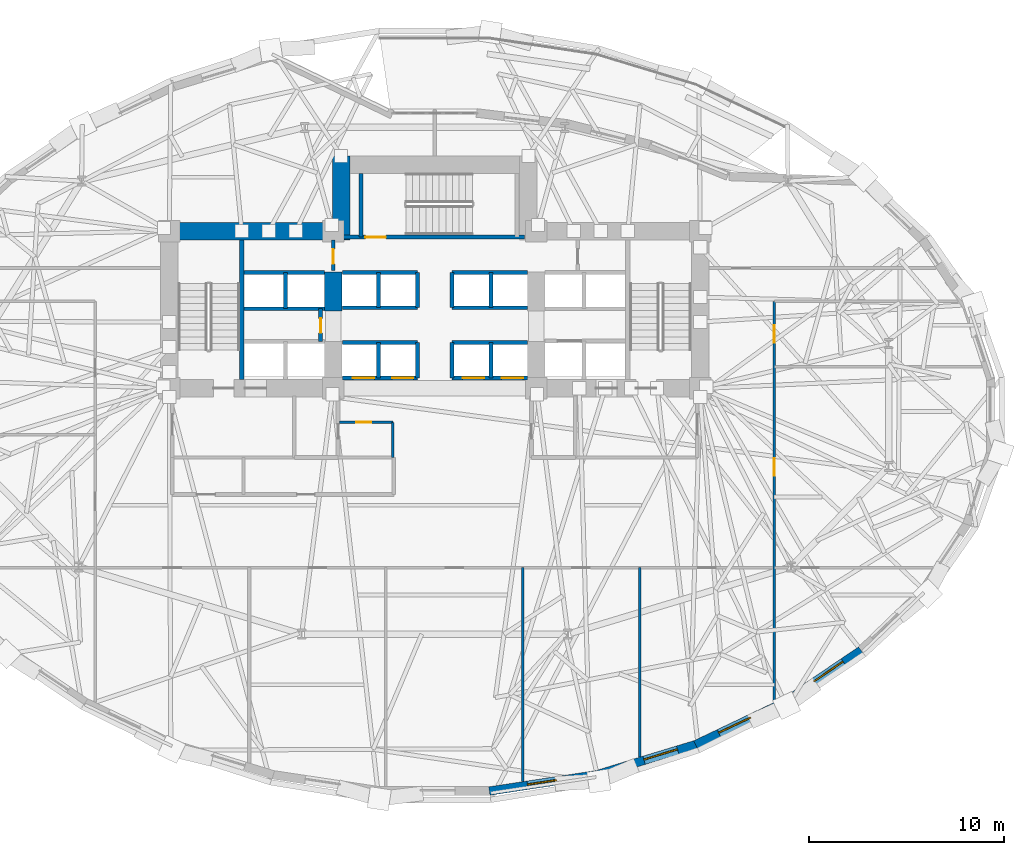
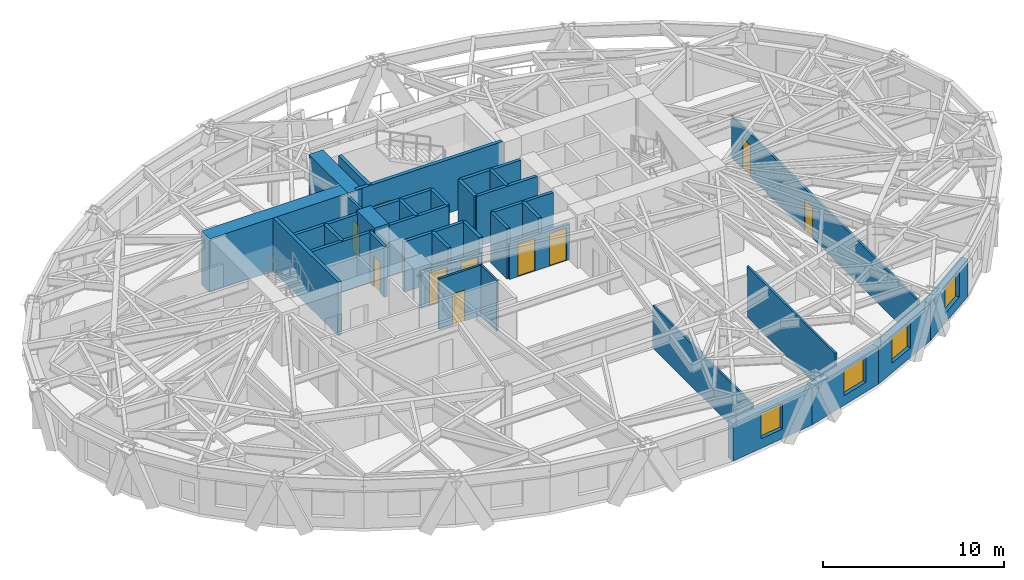
# One storey, part 9 of 15: 36 walls, 10 doors, 4 windows, 14 openings.
"""IFC4 building model written with IfcOpenShell, lengths in metres."""

from ifc_helpers import new_model, si_unit, direction, frame, frame_2d, origin, place, context, subcontext, project, spatial, rectangle, extrude, material, layer, layer_set, type_object, element, fill, save


model = new_model("IFC4")

# Units and contexts
model_context = context("Model", 3, precision=1e-05, world=origin(), true_north=direction((0.0, 1.0)))
body_context = subcontext(model_context, "Body", "Model", "MODEL_VIEW")
ifc_project = project(units=[si_unit("LENGTHUNIT", "METRE"), si_unit("AREAUNIT", "SQUARE_METRE"), si_unit("VOLUMEUNIT", "CUBIC_METRE"), si_unit("PLANEANGLEUNIT", "RADIAN"), si_unit("MASSUNIT", "GRAM", prefix="KILO")], contexts=[model_context])

# Site, building, storey
site_placement = place(None, origin())
site = spatial("IfcSite", under=ifc_project, at=site_placement, CompositionType="ELEMENT")
building_placement = place(site_placement, origin())
building = spatial("IfcBuilding", under=site, at=building_placement, Name="Keldmark Tower", CompositionType="ELEMENT")
storey_placement = place(building_placement, frame((0.0, 0.0, 55.800048828125)))
storey = spatial("IfcBuildingStorey", under=building, at=storey_placement, Name="L14", CompositionType="ELEMENT", Elevation=55.800048828125)

# Wall, openings, doors
ifc_material_1 = material(Name="Acoustic Double-Layer Gypsum Corridor Partition", Category="gypsum")
ifc_layer_1 = layer(ifc_material_1, 0.139892578125)
ifc_layer_set_1 = layer_set([ifc_layer_1], Name="Acoustic Double-Layer Gypsum Corridor Partition")
wall_type_1 = type_object("IfcWallType", Name="Acoustic Corridor Partition 140 mm", PredefinedType="PARTITIONING", material=ifc_layer_set_1)
wall_1_placement = place(storey_placement, frame((17.39990234375, -14.69189453125, 0.0), z_axis=(0.0, 0.0, 1.0), x_axis=(0.0, 1.0, 0.0)))
wall_1 = element("IfcWall", 1, at=wall_1_placement, inside=storey, type_object=wall_type_1, Name="L14 Acoustic Corridor Partition 140 mm COR-E", PredefinedType="PARTITIONING", context=body_context, shape_type="SweptSolid", body=[
    extrude(rectangle(XDim=20.5419921875, YDim=0.139892578125, at=frame_2d((10.27099609375, 0.0))), origin(), (0.0, 0.0, 1.0), 2.841064453125),
])
opening_1_placement = place(wall_1_placement, frame((11.59130859375, 0.0, 0.0)))
opening_1 = element("IfcOpeningElement", 2, at=opening_1_placement, cuts=wall_1, Name="Opening D-IN090", PredefinedType="OPENING", context=body_context, shape_type="SweptSolid", body=[
    extrude(rectangle(XDim=0.89990234375, YDim=2.10009765625, at=frame_2d((0.449951171875, 1.050048828125))), frame((0.0, 0.079833984375, 0.0), z_axis=(0.0, -1.0, 0.0), x_axis=(1.0, 0.0, 0.0)), (0.0, 0.0, 1.0), 0.159912109375),
])
opening_2_placement = place(wall_1_placement, frame((18.41650390625, 0.0, 0.0)))
opening_2 = element("IfcOpeningElement", 3, at=opening_2_placement, cuts=wall_1, Name="Opening D-IN090", PredefinedType="OPENING", context=body_context, shape_type="SweptSolid", body=[
    extrude(rectangle(XDim=0.89990234375, YDim=2.10009765625, at=frame_2d((0.449951171875, 1.050048828125))), frame((0.0, 0.079833984375, 0.0), z_axis=(0.0, -1.0, 0.0), x_axis=(1.0, 0.0, 0.0)), (0.0, 0.0, 1.0), 0.159912109375),
])
ifc_material_2 = material(Name="Stained American White Oak Veneer", Category="wood")
door_type_1 = type_object("IfcDoorType", Name="Interior Door 900x2100", OperationType="NOTDEFINED", PredefinedType="DOOR", material=ifc_material_2)
door_1_placement = place(opening_1_placement, origin())
door_1 = element("IfcDoor", 4, at=door_1_placement, inside=storey, type_object=door_type_1, Name="L14 Interior Door 900x2100 D-ER-1-L14", OperationType="SINGLE_SWING_RIGHT", OverallHeight=2.10009765625, OverallWidth=0.89990234375, PredefinedType="DOOR", context=body_context, shape_type="SweptSolid", body=[
    extrude(rectangle(XDim=0.89990234375, YDim=2.10009765625, at=frame_2d((0.449951171875, 1.050048828125))), frame((0.0, 0.02490234375, 0.0), z_axis=(0.0, -1.0, 0.0), x_axis=(1.0, 0.0, 0.0)), (0.0, 0.0, 1.0), 0.050048828125),
])
fill(opening_1, door_1)
door_2_placement = place(opening_2_placement, origin())
door_2 = element("IfcDoor", 5, at=door_2_placement, inside=storey, type_object=door_type_1, Name="L14 Interior Door 900x2100 D-ER-2-L14", OperationType="SINGLE_SWING_LEFT", OverallHeight=2.10009765625, OverallWidth=0.89990234375, PredefinedType="DOOR", context=body_context, shape_type="SweptSolid", body=[
    extrude(rectangle(XDim=0.89990234375, YDim=2.10009765625, at=frame_2d((0.449951171875, 1.050048828125))), frame((0.0, 0.02490234375, 0.0), z_axis=(0.0, -1.0, 0.0), x_axis=(1.0, 0.0, 0.0)), (0.0, 0.0, 1.0), 0.050048828125),
])
fill(opening_2, door_2)

# Wall, opening, door
ifc_material_3 = material(Name="Acoustic Gypsum Board Interior Partition", Category="gypsum")
ifc_layer_2 = layer(ifc_material_3, 0.1298828125)
ifc_layer_set_2 = layer_set([ifc_layer_2], Name="Acoustic Gypsum Board Interior Partition")
wall_type_2 = type_object("IfcWallType", Name="Interior Partition 130 mm", PredefinedType="PARTITIONING", material=ifc_layer_set_2)
wall_2_placement = place(storey_placement, frame((-4.8798828125, -0.35009765625, 0.0), z_axis=(0.0, 0.0, 1.0), x_axis=(1.0, 0.0, 0.0)))
wall_2 = element("IfcWall", 6, at=wall_2_placement, inside=storey, type_object=wall_type_2, Name="L14 Interior Partition 130 mm CSC-W-N", PredefinedType="PARTITIONING", context=body_context, shape_type="SweptSolid", body=[
    extrude(rectangle(XDim=2.72998046875, YDim=0.1298828125, at=frame_2d((1.364990234375, 0.0))), origin(), (0.0, 0.0, 1.0), 3.39990234375),
])
opening_3_placement = place(wall_2_placement, frame((0.85009765625, 0.0, 0.0)))
opening_3 = element("IfcOpeningElement", 7, at=opening_3_placement, cuts=wall_2, Name="Opening D-CL078", PredefinedType="OPENING", context=body_context, shape_type="SweptSolid", body=[
    extrude(rectangle(XDim=0.780029296875, YDim=2.10009765625, at=frame_2d((0.39013671875, 1.050048828125))), frame((0.0, 0.074951171875, 0.0), z_axis=(0.0, -1.0, 0.0), x_axis=(1.0, 0.0, 0.0)), (0.0, 0.0, 1.0), 0.14990234375),
])
ifc_material_4 = material(Name="Flush Utility Closet Timber Door", Category="wood")
door_type_2 = type_object("IfcDoorType", Name="Closet Door 780x2100", OperationType="NOTDEFINED", PredefinedType="DOOR", material=ifc_material_4)
door_3_placement = place(opening_3_placement, origin())
door_3 = element("IfcDoor", 8, at=door_3_placement, inside=storey, type_object=door_type_2, Name="L14 Closet Door 780x2100 D-CSCW1-L14", OperationType="SINGLE_SWING_RIGHT", OverallHeight=2.10009765625, OverallWidth=0.780029296875, PredefinedType="DOOR", context=body_context, shape_type="SweptSolid", body=[
    extrude(rectangle(XDim=0.780029296875, YDim=2.10009765625, at=frame_2d((0.39013671875, 1.050048828125))), frame((0.0, 0.02490234375, 0.0), z_axis=(0.0, -1.0, 0.0), x_axis=(1.0, 0.0, 0.0)), (0.0, 0.0, 1.0), 0.050048828125),
])
fill(opening_3, door_3)

# Walls
wall_3_placement = place(storey_placement, frame((-2.14990234375, -2.14990234375, 0.0), z_axis=(0.0, 0.0, 1.0), x_axis=(0.0, 1.0, 0.0)))
element("IfcWall", 9, at=wall_3_placement, inside=storey, type_object=wall_type_2, Name="L14 Interior Partition 130 mm CSC-W-E", PredefinedType="PARTITIONING", context=body_context, shape_type="SweptSolid", body=[
    extrude(rectangle(XDim=1.7998046875, YDim=0.1298828125, at=frame_2d((0.89990234375, 0.0))), origin(), (0.0, 0.0, 1.0), 3.39990234375),
])
wall_4_placement = place(storey_placement, frame((4.5, -18.75830078125, 0.0), z_axis=(0.0, 0.0, 1.0), x_axis=(0.0, 1.0, 0.0)))
element("IfcWall", 10, at=wall_4_placement, inside=storey, type_object=wall_type_2, Name="L14 Interior Partition 130 mm S-DIV-3", PredefinedType="PARTITIONING", context=body_context, shape_type="SweptSolid", body=[
    extrude(rectangle(XDim=10.958251953125, YDim=0.1298828125, at=frame_2d((5.47900390625, 0.0))), origin(), (0.0, 0.0, 1.0), 2.85302734375),
])
wall_5_placement = place(storey_placement, frame((10.5, -17.501708984375, 0.0), z_axis=(0.0, 0.0, 1.0), x_axis=(0.0, 1.0, 0.0)))
element("IfcWall", 11, at=wall_5_placement, inside=storey, type_object=wall_type_2, Name="L14 Interior Partition 130 mm S-DIV-4", PredefinedType="PARTITIONING", context=body_context, shape_type="SweptSolid", body=[
    extrude(rectangle(XDim=9.70166015625, YDim=0.1298828125, at=frame_2d((4.850830078125, 0.0))), origin(), (0.0, 0.0, 1.0), 3.39990234375),
])
ifc_material_5 = material(Name="Concrete C70/85", Category="concrete")
ifc_layer_3 = layer(ifc_material_5, 0.89990234375)
ifc_layer_set_3 = layer_set([ifc_layer_3], Name="Concrete C70/85")
wall_type_3 = type_object("IfcWallType", Name="Lower Core Shear Wall 900 mm", PredefinedType="SHEAR", material=ifc_layer_set_3)
wall_6_placement = place(storey_placement, frame((-14.050048828125, 9.449951171875, 0.0), z_axis=(0.0, 0.0, 1.0), x_axis=(1.0, 0.0, 0.0)))
element("IfcWall", 12, at=wall_6_placement, inside=storey, type_object=wall_type_3, Name="L14 West Core North Shear Wall", PredefinedType="SHEAR", context=body_context, shape_type="SweptSolid", body=[
    extrude(rectangle(XDim=9.699951171875, YDim=0.89990234375, at=frame_2d((4.85009765625, 0.0))), origin(), (0.0, 0.0, 1.0), 3.599853515625),
])
wall_7_placement = place(storey_placement, frame((-5.199951171875, 5.35009765625, 0.0), z_axis=(0.0, 0.0, 1.0), x_axis=(0.0, 1.0, 0.0)))
element("IfcWall", 13, at=wall_7_placement, inside=storey, type_object=wall_type_3, Name="L14 West Core Inner Shear Pier North", PredefinedType="SHEAR", context=body_context, shape_type="SweptSolid", body=[
    extrude(rectangle(XDim=2.0, YDim=0.89990234375, at=frame_2d((1.0, 0.0))), origin(), (0.0, 0.0, 1.0), 3.599853515625),
])
wall_8_placement = place(storey_placement, frame((-4.800048828125, 9.0, 0.0), z_axis=(0.0, 0.0, 1.0), x_axis=(0.0, 1.0, 0.0)))
element("IfcWall", 14, at=wall_8_placement, inside=storey, type_object=wall_type_3, Name="L14 North Core West Shear Wall", PredefinedType="SHEAR", context=body_context, shape_type="SweptSolid", body=[
    extrude(rectangle(XDim=4.300048828125, YDim=0.89990234375, at=frame_2d((2.14990234375, 0.0))), origin(), (0.0, 0.0, 1.0), 3.599853515625),
])

# Wall, opening, door
ifc_material_6 = material(Name="Type X Fire-Rated Gypsum Partition Assembly", Category="gypsum")
ifc_layer_4 = layer(ifc_material_6, 0.1650390625)
ifc_layer_set_4 = layer_set([ifc_layer_4], Name="Type X Fire-Rated Gypsum Partition Assembly")
wall_type_4 = type_object("IfcWallType", Name="Rated Partition 165 mm", PredefinedType="PARTITIONING", material=ifc_layer_set_4)
wall_9_placement = place(storey_placement, frame((-5.199951171875, 7.419921875, 0.0), z_axis=(0.0, 0.0, 1.0), x_axis=(0.0, 1.0, 0.0)))
wall_9 = element("IfcWall", 15, at=wall_9_placement, inside=storey, type_object=wall_type_4, Name="L14 Rated Partition 165 mm CS-NW-E", PredefinedType="PARTITIONING", context=body_context, shape_type="SweptSolid", body=[
    extrude(rectangle(XDim=1.580078125, YDim=0.1650390625, at=frame_2d((0.7900390625, 0.0))), origin(), (0.0, 0.0, 1.0), 3.39990234375),
])
opening_4_placement = place(wall_9_placement, frame((0.35009765625, 0.0, 0.0)))
opening_4 = element("IfcOpeningElement", 16, at=opening_4_placement, cuts=wall_9, Name="Opening D-RS075", PredefinedType="OPENING", context=body_context, shape_type="SweptSolid", body=[
    extrude(rectangle(XDim=0.75, YDim=2.10009765625, at=frame_2d((0.375, 1.050048828125))), frame((0.0, 0.092529296875, 0.0), z_axis=(0.0, -1.0, 0.0), x_axis=(1.0, 0.0, 0.0)), (0.0, 0.0, 1.0), 0.18505859375),
])
ifc_material_7 = material(Name="Galvanized Fire-Rated Access Leaf", Category="metal")
door_type_3 = type_object("IfcDoorType", Name="Riser Access Door 750x2100", OperationType="NOTDEFINED", PredefinedType="DOOR", material=ifc_material_7)
door_4_placement = place(opening_4_placement, origin())
door_4 = element("IfcDoor", 17, at=door_4_placement, inside=storey, type_object=door_type_3, Name="L14 Riser Access Door 750x2100 D-CSNW1-L14", OperationType="SINGLE_SWING_LEFT", OverallHeight=2.10009765625, OverallWidth=0.75, PredefinedType="DOOR", context=body_context, shape_type="SweptSolid", body=[
    extrude(rectangle(XDim=0.75, YDim=2.10009765625, at=frame_2d((0.375, 1.050048828125))), frame((0.0, 0.02490234375, 0.0), z_axis=(0.0, -1.0, 0.0), x_axis=(1.0, 0.0, 0.0)), (0.0, 0.0, 1.0), 0.050048828125),
])
fill(opening_4, door_4)

# Walls
ifc_material_8 = material(Name="Fire-Resistant Type X Gypsum Shaftliner Coreboard", Category="gypsum")
ifc_layer_5 = layer(ifc_material_8, 0.199951171875)
ifc_layer_set_5 = layer_set([ifc_layer_5], Name="Fire-Resistant Type X Gypsum Shaftliner Coreboard")
wall_type_5 = type_object("IfcWallType", Name="Shaft Wall 200 mm", PredefinedType="SOLIDWALL", material=ifc_layer_set_5)
for number, where, z_axis, x_axis, name in (
    (18, (-9.780029296875, 5.469970703125, 0.0), (0.0, 0.0, 1.0), (1.0, 0.0, 0.0), "L14 Shaft Wall 200 mm HW-W-N"),
    (19, (-9.780029296875, 7.330078125, 0.0), (0.0, 0.0, 1.0), (1.0, 0.0, 0.0), "L14 Shaft Wall 200 mm HW-W-TOP"),
):
    element("IfcWall", number, at=place(storey_placement, frame(where, z_axis=z_axis, x_axis=x_axis)), inside=storey, type_object=wall_type_5, Name=name, PredefinedType="SOLIDWALL", context=body_context, shape_type="SweptSolid", body=[
        extrude(rectangle(XDim=4.130126953125, YDim=0.199951171875, at=frame_2d((2.06494140625, 0.0))), origin(), (0.0, 0.0, 1.0), 3.39990234375),
    ])
wall_10_placement = place(storey_placement, frame((-7.64990234375, 5.469970703125, 0.0), z_axis=(0.0, 0.0, 1.0), x_axis=(0.0, 1.0, 0.0)))
element("IfcWall", 20, at=wall_10_placement, inside=storey, type_object=wall_type_5, Name="L14 Shaft Wall 200 mm HW-W-NM", PredefinedType="SOLIDWALL", context=body_context, shape_type="SweptSolid", body=[
    extrude(rectangle(XDim=1.860107421875, YDim=0.199951171875, at=frame_2d((0.93017578125, 0.0))), origin(), (0.0, 0.0, 1.0), 3.39990234375),
])

# Wall, opening, door
wall_11_placement = place(storey_placement, frame((-5.85009765625, 3.780029296875, 0.0), z_axis=(0.0, 0.0, 1.0), x_axis=(0.0, 1.0, 0.0)))
wall_11 = element("IfcWall", 21, at=wall_11_placement, inside=storey, type_object=wall_type_5, Name="L14 Shaft Wall 200 mm HW-W-CLOSE", PredefinedType="SOLIDWALL", context=body_context, shape_type="SweptSolid", body=[
    extrude(rectangle(XDim=1.68994140625, YDim=0.199951171875, at=frame_2d((0.844970703125, 0.0))), origin(), (0.0, 0.0, 1.0), 3.39990234375),
])
opening_5_placement = place(wall_11_placement, frame((0.449951171875, 0.0, 0.0)))
opening_5 = element("IfcOpeningElement", 22, at=opening_5_placement, cuts=wall_11, Name="Opening D-RS075", PredefinedType="OPENING", context=body_context, shape_type="SweptSolid", body=[
    extrude(rectangle(XDim=0.75, YDim=2.10009765625, at=frame_2d((0.375, 1.050048828125))), frame((0.0, 0.10986328125, 0.0), z_axis=(0.0, -1.0, 0.0), x_axis=(1.0, 0.0, 0.0)), (0.0, 0.0, 1.0), 0.219970703125),
])
door_5_placement = place(opening_5_placement, origin())
door_5 = element("IfcDoor", 23, at=door_5_placement, inside=storey, type_object=door_type_3, Name="L14 Riser Access Door 750x2100 D-RISHW-L14", OperationType="SINGLE_SWING_RIGHT", OverallHeight=2.10009765625, OverallWidth=0.75, PredefinedType="DOOR", context=body_context, shape_type="SweptSolid", body=[
    extrude(rectangle(XDim=0.75, YDim=2.10009765625, at=frame_2d((0.375, 1.050048828125))), frame((0.0, 0.02490234375, 0.0), z_axis=(0.0, -1.0, 0.0), x_axis=(1.0, 0.0, 0.0)), (0.0, 0.0, 1.0), 0.050048828125),
])
fill(opening_5, door_5)

# Wall, openings, doors
wall_12_placement = place(storey_placement, frame((-4.739990234375, 1.919921875, 0.0), z_axis=(0.0, 0.0, 1.0), x_axis=(1.0, 0.0, 0.0)))
wall_12 = element("IfcWall", 24, at=wall_12_placement, inside=storey, type_object=wall_type_5, Name="L14 Shaft Wall 200 mm LOW-S-W", PredefinedType="SOLIDWALL", context=body_context, shape_type="SweptSolid", body=[
    extrude(rectangle(XDim=3.860107421875, YDim=0.199951171875, at=frame_2d((1.93017578125, 0.0))), origin(), (0.0, 0.0, 1.0), 2.389892578125),
])
opening_6_placement = place(wall_12_placement, frame((0.550048828125, 0.0, 0.0)))
opening_6 = element("IfcOpeningElement", 25, at=opening_6_placement, cuts=wall_12, Name="Opening LD-110", PredefinedType="OPENING", context=body_context, shape_type="SweptSolid", body=[
    extrude(rectangle(XDim=1.10009765625, YDim=2.199951171875, at=frame_2d((0.550048828125, 1.10009765625))), frame((0.0, 0.10986328125, 0.0), z_axis=(0.0, -1.0, 0.0), x_axis=(1.0, 0.0, 0.0)), (0.0, 0.0, 1.0), 0.219970703125),
])
opening_7_placement = place(wall_12_placement, frame((2.550048828125, 0.0, 0.0)))
opening_7 = element("IfcOpeningElement", 26, at=opening_7_placement, cuts=wall_12, Name="Opening LD-110", PredefinedType="OPENING", context=body_context, shape_type="SweptSolid", body=[
    extrude(rectangle(XDim=1.10009765625, YDim=2.199951171875, at=frame_2d((0.550048828125, 1.10009765625))), frame((0.0, 0.10986328125, 0.0), z_axis=(0.0, -1.0, 0.0), x_axis=(1.0, 0.0, 0.0)), (0.0, 0.0, 1.0), 0.219970703125),
])
ifc_material_9 = material(Name="Brushed Bronze Hoistway Sliding Leaf", Category="metal")
door_type_4 = type_object("IfcDoorType", Name="Lift Landing Sliding Door 1100x2200", OperationType="SLIDING_TO_LEFT", PredefinedType="DOOR", material=ifc_material_9)
door_6_placement = place(opening_6_placement, origin())
door_6 = element("IfcDoor", 27, at=door_6_placement, inside=storey, type_object=door_type_4, Name="L14 Lift Landing Sliding Door 1100x2200 LD-EL-L1-L14", OperationType="SLIDING_TO_LEFT", OverallHeight=2.199951171875, OverallWidth=1.10009765625, PredefinedType="DOOR", context=body_context, shape_type="SweptSolid", body=[
    extrude(rectangle(XDim=1.10009765625, YDim=2.199951171875, at=frame_2d((0.550048828125, 1.10009765625))), frame((0.0, 0.02490234375, 0.0), z_axis=(0.0, -1.0, 0.0), x_axis=(1.0, 0.0, 0.0)), (0.0, 0.0, 1.0), 0.050048828125),
])
fill(opening_6, door_6)
door_7_placement = place(opening_7_placement, origin())
door_7 = element("IfcDoor", 28, at=door_7_placement, inside=storey, type_object=door_type_4, Name="L14 Lift Landing Sliding Door 1100x2200 LD-EL-L2-L14", OperationType="SLIDING_TO_LEFT", OverallHeight=2.199951171875, OverallWidth=1.10009765625, PredefinedType="DOOR", context=body_context, shape_type="SweptSolid", body=[
    extrude(rectangle(XDim=1.10009765625, YDim=2.199951171875, at=frame_2d((0.550048828125, 1.10009765625))), frame((0.0, 0.02490234375, 0.0), z_axis=(0.0, -1.0, 0.0), x_axis=(1.0, 0.0, 0.0)), (0.0, 0.0, 1.0), 0.050048828125),
])
fill(opening_7, door_7)

wall_13_placement = place(storey_placement, frame((0.8798828125, 1.919921875, 0.0), z_axis=(0.0, 0.0, 1.0), x_axis=(1.0, 0.0, 0.0)))
wall_13 = element("IfcWall", 29, at=wall_13_placement, inside=storey, type_object=wall_type_5, Name="L14 Shaft Wall 200 mm LOW-S-E", PredefinedType="SOLIDWALL", context=body_context, shape_type="SweptSolid", body=[
    extrude(rectangle(XDim=3.860107421875, YDim=0.199951171875, at=frame_2d((1.93017578125, 0.0))), origin(), (0.0, 0.0, 1.0), 2.389892578125),
])
opening_8_placement = place(wall_13_placement, frame((0.550048828125, 0.0, 0.0)))
opening_8 = element("IfcOpeningElement", 30, at=opening_8_placement, cuts=wall_13, Name="Opening LD-110", PredefinedType="OPENING", context=body_context, shape_type="SweptSolid", body=[
    extrude(rectangle(XDim=1.10009765625, YDim=2.199951171875, at=frame_2d((0.550048828125, 1.10009765625))), frame((0.0, 0.10986328125, 0.0), z_axis=(0.0, -1.0, 0.0), x_axis=(1.0, 0.0, 0.0)), (0.0, 0.0, 1.0), 0.219970703125),
])
opening_9_placement = place(wall_13_placement, frame((2.550048828125, 0.0, 0.0)))
opening_9 = element("IfcOpeningElement", 31, at=opening_9_placement, cuts=wall_13, Name="Opening LD-110", PredefinedType="OPENING", context=body_context, shape_type="SweptSolid", body=[
    extrude(rectangle(XDim=1.10009765625, YDim=2.199951171875, at=frame_2d((0.550048828125, 1.10009765625))), frame((0.0, 0.10986328125, 0.0), z_axis=(0.0, -1.0, 0.0), x_axis=(1.0, 0.0, 0.0)), (0.0, 0.0, 1.0), 0.219970703125),
])
door_8_placement = place(opening_8_placement, origin())
door_8 = element("IfcDoor", 32, at=door_8_placement, inside=storey, type_object=door_type_4, Name="L14 Lift Landing Sliding Door 1100x2200 LD-EL-L3-L14", OperationType="SLIDING_TO_LEFT", OverallHeight=2.199951171875, OverallWidth=1.10009765625, PredefinedType="DOOR", context=body_context, shape_type="SweptSolid", body=[
    extrude(rectangle(XDim=1.10009765625, YDim=2.199951171875, at=frame_2d((0.550048828125, 1.10009765625))), frame((0.0, 0.02490234375, 0.0), z_axis=(0.0, -1.0, 0.0), x_axis=(1.0, 0.0, 0.0)), (0.0, 0.0, 1.0), 0.050048828125),
])
fill(opening_8, door_8)
door_9_placement = place(opening_9_placement, origin())
door_9 = element("IfcDoor", 33, at=door_9_placement, inside=storey, type_object=door_type_4, Name="L14 Lift Landing Sliding Door 1100x2200 LD-EL-L4-L14", OperationType="SLIDING_TO_LEFT", OverallHeight=2.199951171875, OverallWidth=1.10009765625, PredefinedType="DOOR", context=body_context, shape_type="SweptSolid", body=[
    extrude(rectangle(XDim=1.10009765625, YDim=2.199951171875, at=frame_2d((0.550048828125, 1.10009765625))), frame((0.0, 0.02490234375, 0.0), z_axis=(0.0, -1.0, 0.0), x_axis=(1.0, 0.0, 0.0)), (0.0, 0.0, 1.0), 0.050048828125),
])
fill(opening_9, door_9)

# Walls
for number, where, z_axis, x_axis, name in (
    (34, (-4.739990234375, 3.739990234375, 0.0), (0.0, 0.0, 1.0), (1.0, 0.0, 0.0), "L14 Shaft Wall 200 mm LOW-N-W"),
    (35, (0.8798828125, 3.739990234375, 0.0), (0.0, 0.0, 1.0), (1.0, 0.0, 0.0), "L14 Shaft Wall 200 mm LOW-N-E"),
):
    element("IfcWall", number, at=place(storey_placement, frame(where, z_axis=z_axis, x_axis=x_axis)), inside=storey, type_object=wall_type_5, Name=name, PredefinedType="SOLIDWALL", context=body_context, shape_type="SweptSolid", body=[
        extrude(rectangle(XDim=3.860107421875, YDim=0.199951171875, at=frame_2d((1.93017578125, 0.0))), origin(), (0.0, 0.0, 1.0), 3.39990234375),
    ])
for number, where, z_axis, x_axis, name in (
    (36, (-2.8798828125, 1.919921875, 0.0), (0.0, 0.0, 1.0), (0.0, 1.0, 0.0), "L14 Shaft Wall 200 mm LOW-M-W"),
    (37, (2.8798828125, 1.919921875, 0.0), (0.0, 0.0, 1.0), (0.0, 1.0, 0.0), "L14 Shaft Wall 200 mm LOW-M-E"),
    (38, (-0.8798828125, 1.919921875, 0.0), (0.0, 0.0, 1.0), (0.0, 1.0, 0.0), "L14 Shaft Wall 200 mm LOW-C-W"),
    (39, (0.8798828125, 1.919921875, 0.0), (0.0, 0.0, 1.0), (0.0, 1.0, 0.0), "L14 Shaft Wall 200 mm LOW-C-E"),
):
    element("IfcWall", number, at=place(storey_placement, frame(where, z_axis=z_axis, x_axis=x_axis)), inside=storey, type_object=wall_type_5, Name=name, PredefinedType="SOLIDWALL", context=body_context, shape_type="SweptSolid", body=[
        extrude(rectangle(XDim=1.820068359375, YDim=0.199951171875, at=frame_2d((0.91015625, 0.0))), origin(), (0.0, 0.0, 1.0), 3.39990234375),
    ])
for number, where, z_axis, x_axis, name in (
    (40, (-4.739990234375, 5.52001953125, 0.0), (0.0, 0.0, 1.0), (1.0, 0.0, 0.0), "L14 Shaft Wall 200 mm MID-S-W"),
    (41, (0.8798828125, 5.52001953125, 0.0), (0.0, 0.0, 1.0), (1.0, 0.0, 0.0), "L14 Shaft Wall 200 mm MID-S-E"),
    (42, (-4.739990234375, 7.330078125, 0.0), (0.0, 0.0, 1.0), (1.0, 0.0, 0.0), "L14 Shaft Wall 200 mm MID-N-W"),
    (43, (0.8798828125, 7.330078125, 0.0), (0.0, 0.0, 1.0), (1.0, 0.0, 0.0), "L14 Shaft Wall 200 mm MID-N-E"),
):
    element("IfcWall", number, at=place(storey_placement, frame(where, z_axis=z_axis, x_axis=x_axis)), inside=storey, type_object=wall_type_5, Name=name, PredefinedType="SOLIDWALL", context=body_context, shape_type="SweptSolid", body=[
        extrude(rectangle(XDim=3.860107421875, YDim=0.199951171875, at=frame_2d((1.93017578125, 0.0))), origin(), (0.0, 0.0, 1.0), 3.39990234375),
    ])
for number, where, z_axis, x_axis, name in (
    (44, (-2.8798828125, 5.52001953125, 0.0), (0.0, 0.0, 1.0), (0.0, 1.0, 0.0), "L14 Shaft Wall 200 mm MID-M-W"),
    (45, (2.8798828125, 5.52001953125, 0.0), (0.0, 0.0, 1.0), (0.0, 1.0, 0.0), "L14 Shaft Wall 200 mm MID-M-E"),
    (46, (-0.8798828125, 5.52001953125, 0.0), (0.0, 0.0, 1.0), (0.0, 1.0, 0.0), "L14 Shaft Wall 200 mm MID-C-W"),
    (47, (0.8798828125, 5.52001953125, 0.0), (0.0, 0.0, 1.0), (0.0, 1.0, 0.0), "L14 Shaft Wall 200 mm MID-C-E"),
):
    element("IfcWall", number, at=place(storey_placement, frame(where, z_axis=z_axis, x_axis=x_axis)), inside=storey, type_object=wall_type_5, Name=name, PredefinedType="SOLIDWALL", context=body_context, shape_type="SweptSolid", body=[
        extrude(rectangle(XDim=1.81005859375, YDim=0.199951171875, at=frame_2d((0.905029296875, 0.0))), origin(), (0.0, 0.0, 1.0), 3.39990234375),
    ])
ifc_material_10 = material(Name="Concrete C50/60", Category="concrete")
ifc_layer_6 = layer(ifc_material_10, 0.219970703125)
ifc_layer_set_6 = layer_set([ifc_layer_6], Name="Concrete C50/60")
wall_type_6 = type_object("IfcWallType", Name="Stair Core Shear Wall 220 mm", PredefinedType="SHEAR", material=ifc_layer_set_6)
wall_14_placement = place(storey_placement, frame((-9.889892578125, 1.85009765625, 0.0), z_axis=(0.0, 0.0, 1.0), x_axis=(0.0, 1.0, 0.0)))
element("IfcWall", 48, at=wall_14_placement, inside=storey, type_object=wall_type_6, Name="L14 West Stair Core Shear Wall", PredefinedType="SHEAR", context=body_context, shape_type="SweptSolid", body=[
    extrude(rectangle(XDim=7.14990234375, YDim=0.219970703125, at=frame_2d((3.574951171875, 0.0))), origin(), (0.0, 0.0, 1.0), 3.599853515625),
])

# Wall, opening, door
wall_15_placement = place(storey_placement, frame((-4.699951171875, 9.139892578125, 0.0), z_axis=(0.0, 0.0, 1.0), x_axis=(1.0, 0.0, 0.0)))
wall_15 = element("IfcWall", 49, at=wall_15_placement, inside=storey, type_object=wall_type_6, Name="L14 Central Stair Core South Shear Wall", PredefinedType="SHEAR", context=body_context, shape_type="SweptSolid", body=[
    extrude(rectangle(XDim=9.300048828125, YDim=0.219970703125, at=frame_2d((4.64990234375, 0.0))), origin(), (0.0, 0.0, 1.0), 3.599853515625),
])
opening_10_placement = place(wall_15_placement, frame((1.14990234375, 0.0, 0.0)))
opening_10 = element("IfcOpeningElement", 50, at=opening_10_placement, cuts=wall_15, Name="Opening D-ST105", PredefinedType="OPENING", context=body_context, shape_type="SweptSolid", body=[
    extrude(rectangle(XDim=1.050048828125, YDim=2.14990234375, at=frame_2d((0.52490234375, 1.074951171875))), frame((0.0, 0.119873046875, 0.0), z_axis=(0.0, -1.0, 0.0), x_axis=(1.0, 0.0, 0.0)), (0.0, 0.0, 1.0), 0.239990234375),
])
ifc_material_11 = material(Name="Hollow Metal Fire-Rated Door Assembly", Category="metal")
door_type_5 = type_object("IfcDoorType", Name="Stair Fire Door 1050x2150", OperationType="NOTDEFINED", PredefinedType="DOOR", material=ifc_material_11)
door_10_placement = place(opening_10_placement, origin())
door_10 = element("IfcDoor", 51, at=door_10_placement, inside=storey, type_object=door_type_5, Name="L14 Stair Fire Door 1050x2150 D-ST3-L14", OperationType="SINGLE_SWING_RIGHT", OverallHeight=2.14990234375, OverallWidth=1.050048828125, PredefinedType="DOOR", context=body_context, shape_type="SweptSolid", body=[
    extrude(rectangle(XDim=1.050048828125, YDim=2.14990234375, at=frame_2d((0.52490234375, 1.074951171875))), frame((0.0, 0.02490234375, 0.0), z_axis=(0.0, -1.0, 0.0), x_axis=(1.0, 0.0, 0.0)), (0.0, 0.0, 1.0), 0.050048828125),
])
fill(opening_10, door_10)

# Wall
wall_16_placement = place(storey_placement, frame((-3.784912109375, 9.139892578125, 0.0), z_axis=(0.0, 0.0, 1.0), x_axis=(0.0, 1.0, 0.0)))
element("IfcWall", 52, at=wall_16_placement, inside=storey, type_object=wall_type_6, Name="L14 Central Stair Core West Shear Wall", PredefinedType="SHEAR", context=body_context, shape_type="SweptSolid", body=[
    extrude(rectangle(XDim=3.260009765625, YDim=0.219970703125, at=frame_2d((1.6298828125, 0.0))), origin(), (0.0, 0.0, 1.0), 3.599853515625),
])

# Wall, opening, window
ifc_material_12 = material(Name="Ironspot Manganese Brick and Kasota Buff Limestone Spandrel Assembly", Category="masonry")
ifc_layer_7 = layer(ifc_material_12, 0.43994140625)
ifc_layer_set_7 = layer_set([ifc_layer_7], Name="Ironspot Manganese Brick and Kasota Buff Limestone Spandrel Assembly")
wall_type_7 = type_object("IfcWallType", Name="Tower Brick Pier and Spandrel Wall 440 mm", PredefinedType="STANDARD", material=ifc_layer_set_7)
wall_17_placement = place(storey_placement, frame((8.3037109375, -18.41259765625, 0.0), z_axis=(0.0, 0.0, 1.0), x_axis=(-0.988714127489, -0.149814465604, 0.0)))
wall_17 = element("IfcWall", 53, at=wall_17_placement, inside=storey, type_object=wall_type_7, Name="L14 Exterior Brick and Spandrel Wall 25", PredefinedType="STANDARD", context=body_context, shape_type="SweptSolid", body=[
    extrude(rectangle(XDim=5.57177734375, YDim=0.43994140625, at=frame_2d((2.785888671875, 0.0))), origin(), (0.0, 0.0, 1.0), 2.529052734375),
])
opening_11_placement = place(wall_17_placement, frame((2.08544921875, 0.0, 0.64990234375)))
opening_11 = element("IfcOpeningElement", 54, at=opening_11_placement, cuts=wall_17, Name="Opening W-03", PredefinedType="OPENING", context=body_context, shape_type="SweptSolid", body=[
    extrude(rectangle(XDim=1.5, YDim=1.699951171875, at=frame_2d((0.75, 0.85009765625))), frame((0.0, 0.22998046875, 0.0), z_axis=(0.0, -1.0, 0.0), x_axis=(1.0, 0.0, 0.0)), (0.0, 0.0, 1.0), 0.4599609375),
])
ifc_material_13 = material(Name="Thermally Broken Anodized Aluminum and Triple Low-E Argon Glazing", Category="aluminium")
window_type_1 = type_object("IfcWindowType", Name="Office Corner Deep-Set Window 1500x1700", PartitioningType="DOUBLE_PANEL_VERTICAL", PredefinedType="WINDOW", material=ifc_material_13)
window_1_placement = place(opening_11_placement, origin())
window_1 = element("IfcWindow", 55, at=window_1_placement, inside=storey, type_object=window_type_1, Name="L14 Deep-Set Window 25", OverallHeight=1.699951171875, OverallWidth=1.5, PartitioningType="SINGLE_PANEL", PredefinedType="WINDOW", context=body_context, shape_type="SweptSolid", body=[
    extrude(rectangle(XDim=1.5, YDim=1.699951171875, at=frame_2d((0.75, 0.85009765625))), frame((0.0, -0.010009765625, 0.0), z_axis=(0.0, -1.0, 0.0), x_axis=(1.0, 0.0, 0.0)), (0.0, 0.0, 1.0), 0.06005859375),
])
fill(opening_11, window_1)

wall_18_placement = place(storey_placement, frame((13.393310546875, -16.857177734375, 0.0), z_axis=(0.0, 0.0, 1.0), x_axis=(-0.956466543593, -0.291841996615, 0.0)))
wall_18 = element("IfcWall", 56, at=wall_18_placement, inside=storey, type_object=wall_type_7, Name="L14 Exterior Brick and Spandrel Wall 26", PredefinedType="STANDARD", context=body_context, shape_type="SweptSolid", body=[
    extrude(rectangle(XDim=5.35400390625, YDim=0.43994140625, at=frame_2d((2.677001953125, 0.0))), origin(), (0.0, 0.0, 1.0), 2.529052734375),
])
opening_12_placement = place(wall_18_placement, frame((0.988525390625, 0.0, 0.64990234375)))
opening_12 = element("IfcOpeningElement", 57, at=opening_12_placement, cuts=wall_18, Name="Opening W-02", PredefinedType="OPENING", context=body_context, shape_type="SweptSolid", body=[
    extrude(rectangle(XDim=1.800048828125, YDim=1.699951171875, at=frame_2d((0.89990234375, 0.85009765625))), frame((0.0, 0.22998046875, 0.0), z_axis=(0.0, -1.0, 0.0), x_axis=(1.0, 0.0, 0.0)), (0.0, 0.0, 1.0), 0.4599609375),
])
ifc_material_14 = material(Name="Thermally Broken Anodized Aluminum and Triple Low-E Argon Glazing", Category="aluminium")
window_type_2 = type_object("IfcWindowType", Name="Office Deep-Set Triple Window 1800x1700", PartitioningType="TRIPLE_PANEL_VERTICAL", PredefinedType="WINDOW", material=ifc_material_14)
window_2_placement = place(opening_12_placement, origin())
window_2 = element("IfcWindow", 58, at=window_2_placement, inside=storey, type_object=window_type_2, Name="L14 Deep-Set Window 26", OverallHeight=1.699951171875, OverallWidth=1.800048828125, PartitioningType="SINGLE_PANEL", PredefinedType="WINDOW", context=body_context, shape_type="SweptSolid", body=[
    extrude(rectangle(XDim=1.800048828125, YDim=1.699951171875, at=frame_2d((0.89990234375, 0.85009765625))), frame((0.0, -0.010009765625, 0.0), z_axis=(0.0, -1.0, 0.0), x_axis=(1.0, 0.0, 0.0)), (0.0, 0.0, 1.0), 0.06005859375),
])
fill(opening_12, window_2)

wall_19_placement = place(storey_placement, frame((17.93115234375, -14.691162109375, 0.0), z_axis=(0.0, 0.0, 1.0), x_axis=(-0.902682101727, -0.430308056189, 0.0)))
wall_19 = element("IfcWall", 59, at=wall_19_placement, inside=storey, type_object=wall_type_7, Name="L14 Exterior Brick and Spandrel Wall 27", PredefinedType="STANDARD", context=body_context, shape_type="SweptSolid", body=[
    extrude(rectangle(XDim=5.060791015625, YDim=0.43994140625, at=frame_2d((2.5302734375, 0.0))), origin(), (0.0, 0.0, 1.0), 2.529052734375),
])
opening_13_placement = place(wall_19_placement, frame((1.926513671875, 0.0, 0.64990234375)))
opening_13 = element("IfcOpeningElement", 60, at=opening_13_placement, cuts=wall_19, Name="Opening W-02", PredefinedType="OPENING", context=body_context, shape_type="SweptSolid", body=[
    extrude(rectangle(XDim=1.800048828125, YDim=1.699951171875, at=frame_2d((0.89990234375, 0.85009765625))), frame((0.0, 0.22998046875, 0.0), z_axis=(0.0, -1.0, 0.0), x_axis=(1.0, 0.0, 0.0)), (0.0, 0.0, 1.0), 0.4599609375),
])
window_3_placement = place(opening_13_placement, origin())
window_3 = element("IfcWindow", 61, at=window_3_placement, inside=storey, type_object=window_type_2, Name="L14 Deep-Set Window 27", OverallHeight=1.699951171875, OverallWidth=1.800048828125, PartitioningType="SINGLE_PANEL", PredefinedType="WINDOW", context=body_context, shape_type="SweptSolid", body=[
    extrude(rectangle(XDim=1.800048828125, YDim=1.699951171875, at=frame_2d((0.89990234375, 0.85009765625))), frame((0.0, -0.010009765625, 0.0), z_axis=(0.0, -1.0, 0.0), x_axis=(1.0, 0.0, 0.0)), (0.0, 0.0, 1.0), 0.06005859375),
])
fill(opening_13, window_3)

wall_20_placement = place(storey_placement, frame((21.84130859375, -12.03759765625, 0.0), z_axis=(0.0, 0.0, 1.0), x_axis=(-0.827723442454, -0.561136260468, 0.0)))
wall_20 = element("IfcWall", 62, at=wall_20_placement, inside=storey, type_object=wall_type_7, Name="L14 Exterior Brick and Spandrel Wall 28", PredefinedType="STANDARD", context=body_context, shape_type="SweptSolid", body=[
    extrude(rectangle(XDim=4.758544921875, YDim=0.43994140625, at=frame_2d((2.37939453125, 0.0))), origin(), (0.0, 0.0, 1.0), 2.529052734375),
])
opening_14_placement = place(wall_20_placement, frame((1.085693359375, 0.0, 0.64990234375)))
opening_14 = element("IfcOpeningElement", 63, at=opening_14_placement, cuts=wall_20, Name="Opening W-02", PredefinedType="OPENING", context=body_context, shape_type="SweptSolid", body=[
    extrude(rectangle(XDim=1.800048828125, YDim=1.699951171875, at=frame_2d((0.89990234375, 0.85009765625))), frame((0.0, 0.22998046875, 0.0), z_axis=(0.0, -1.0, 0.0), x_axis=(1.0, 0.0, 0.0)), (0.0, 0.0, 1.0), 0.4599609375),
])
window_4_placement = place(opening_14_placement, origin())
window_4 = element("IfcWindow", 64, at=window_4_placement, inside=storey, type_object=window_type_2, Name="L14 Deep-Set Window 28", OverallHeight=1.699951171875, OverallWidth=1.800048828125, PartitioningType="SINGLE_PANEL", PredefinedType="WINDOW", context=body_context, shape_type="SweptSolid", body=[
    extrude(rectangle(XDim=1.800048828125, YDim=1.699951171875, at=frame_2d((0.89990234375, 0.85009765625))), frame((0.0, -0.010009765625, 0.0), z_axis=(0.0, -1.0, 0.0), x_axis=(1.0, 0.0, 0.0)), (0.0, 0.0, 1.0), 0.06005859375),
])
fill(opening_14, window_4)

save(model, "model.ifc")
